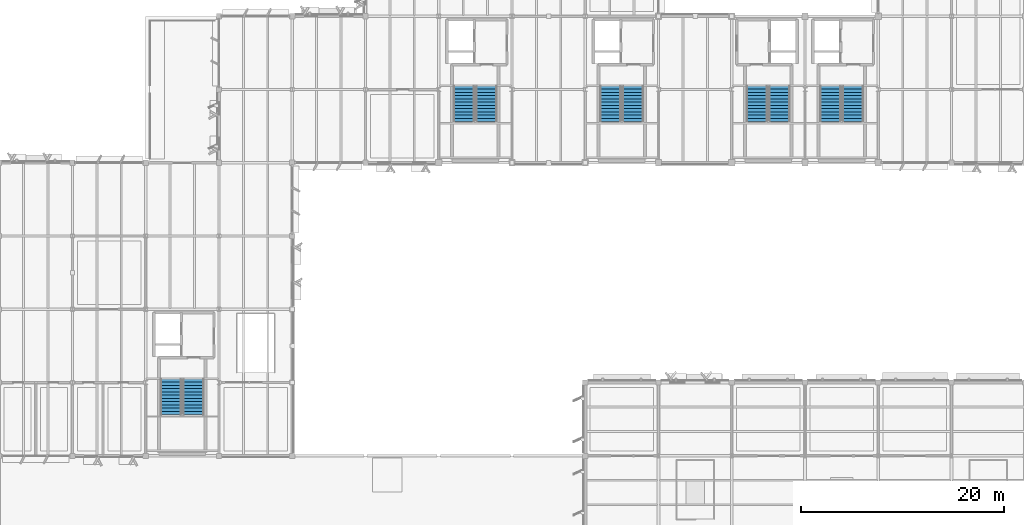
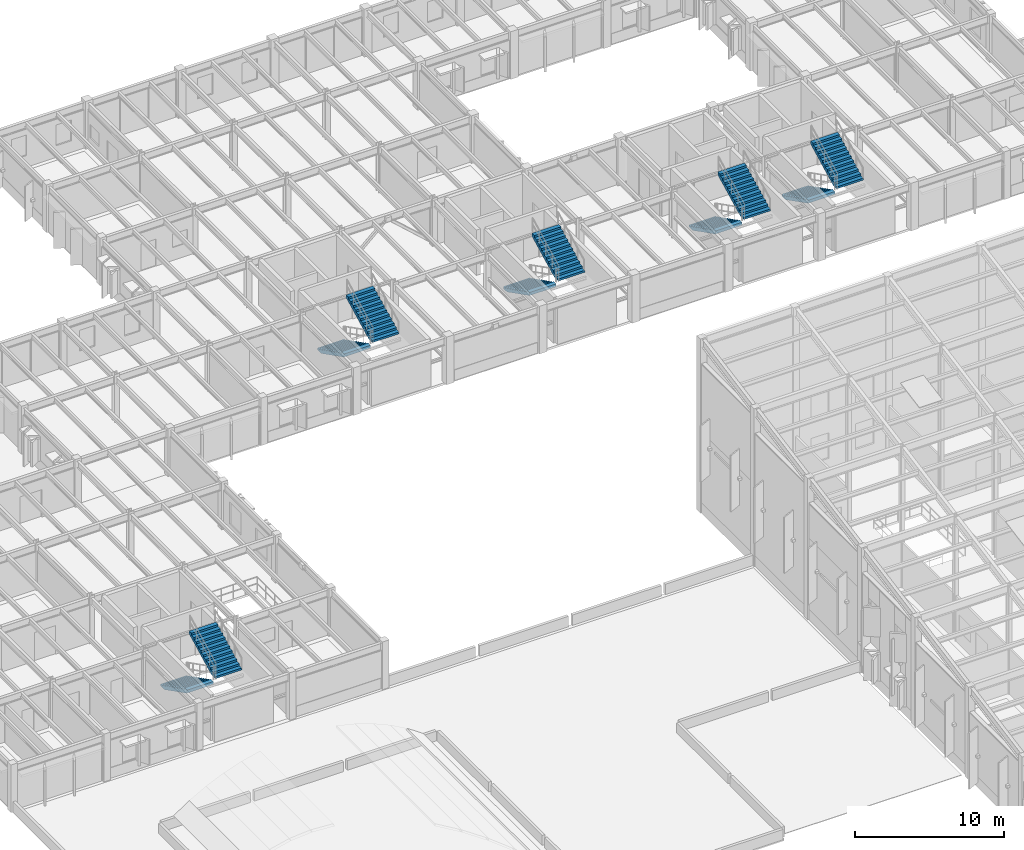
# One storey, part 42 of 82: 10 stair flights, 5 elements without a shape of their own.
"""IFC4 building model written with IfcOpenShell, lengths in metres."""

from ifc_helpers import new_model, si_unit, direction, frame, origin, place, context, subcontext, project, spatial, polyline, outline, extrude, material, type_object, element, aggregate, save


model = new_model("IFC4")

# Units and contexts
model_context = context("Model", 3, precision=1e-05, world=origin(), true_north=direction((0.0, 1.0)))
body_context = subcontext(model_context, "Body", "Model", "MODEL_VIEW")
ifc_project = project(units=[si_unit("LENGTHUNIT", "METRE"), si_unit("AREAUNIT", "SQUARE_METRE"), si_unit("VOLUMEUNIT", "CUBIC_METRE"), si_unit("PLANEANGLEUNIT", "RADIAN"), si_unit("MASSUNIT", "GRAM", prefix="KILO")], contexts=[model_context])

# Site, building, storey
site_placement = place(None, origin())
site = spatial("IfcSite", under=ifc_project, at=site_placement, CompositionType="ELEMENT")
building_placement = place(site_placement, origin())
building = spatial("IfcBuilding", under=site, at=building_placement, Name="Sillqori Civic Hall", CompositionType="ELEMENT")
storey_placement = place(building_placement, frame((0.0, 0.0, 14.10009765625)))
storey = spatial("IfcBuildingStorey", under=building, at=storey_placement, Name="L04", CompositionType="ELEMENT", Elevation=14.10009765625)

# Stair, stair flights
ifc_material = material(Name="Concrete C35/45 (H35)", Category="concrete")
stair_type_1 = type_object("IfcStairType", Name="STR-CORE-04", PredefinedType="DOUBLE_RETURN_STAIR", material=ifc_material)
stair_1_placement = place(storey_placement, origin())
stair_1 = element("IfcStair", 1, at=stair_1_placement, inside=storey, type_object=stair_type_1, Name="L04 Core exit stair ST-04", PredefinedType="DOUBLE_RETURN_STAIR")
stair_flight_type = type_object("IfcStairFlightType", Name="SFL-CORE-220", PredefinedType="STRAIGHT", material=ifc_material)
stair_flight_1_placement = place(storey_placement, frame((24.090087890625, 57.969970703125, 0.0), z_axis=(0.0, 0.0, 1.0), x_axis=(0.0, -1.0, 0.0)))
stair_flight_1 = element("IfcStairFlight", 2, at=stair_flight_1_placement, type_object=stair_flight_type, Name="ST-04 flight 1", NumberOfRisers=12, NumberOfTreads=11, PredefinedType="STRAIGHT", RiserHeight=0.1625, TreadLength=0.32, context=body_context, shape_type="SweptSolid", body=[
    extrude(outline(polyline([(0.0, 0.0), (0.0, 0.16259765625), (0.320068359375, 0.16259765625), (0.320068359375, 0.324951171875), (0.639892578125, 0.324951171875), (0.639892578125, 0.487548828125), (0.9599609375, 0.487548828125), (0.9599609375, 0.64990234375), (1.280029296875, 0.64990234375), (1.280029296875, 0.8125), (1.60009765625, 0.8125), (1.60009765625, 0.97509765625), (1.919921875, 0.97509765625), (1.919921875, 1.137451171875), (2.239990234375, 1.137451171875), (2.239990234375, 1.300048828125), (2.56005859375, 1.300048828125), (2.56005859375, 1.46240234375), (2.8798828125, 1.46240234375), (2.8798828125, 1.625), (3.199951171875, 1.625), (3.199951171875, 1.78759765625), (3.52001953125, 1.78759765625), (3.52001953125, 1.949951171875), (3.52001953125, 1.540771484375), (0.48583984375, 0.0), (0.0, 0.0)])), frame((0.0, 1.030029296875, 0.0), z_axis=(0.0, -1.0, 0.0), x_axis=(1.0, 0.0, 0.0)), (0.0, 0.0, 1.0), 2.06005859375),
])
stair_flight_2_placement = place(storey_placement, frame((26.31005859375, 54.449951171875, 1.949951171875), z_axis=(0.0, 0.0, 1.0), x_axis=(0.0, 1.0, 0.0)))
stair_flight_2 = element("IfcStairFlight", 3, at=stair_flight_2_placement, type_object=stair_flight_type, Name="ST-04 flight 2", NumberOfRisers=12, NumberOfTreads=11, PredefinedType="STRAIGHT", RiserHeight=0.1625, TreadLength=0.32, context=body_context, shape_type="SweptSolid", body=[
    extrude(outline(polyline([(0.0, 0.0), (0.0, 0.16259765625), (0.320068359375, 0.16259765625), (0.320068359375, 0.324951171875), (0.639892578125, 0.324951171875), (0.639892578125, 0.487548828125), (0.9599609375, 0.487548828125), (0.9599609375, 0.64990234375), (1.280029296875, 0.64990234375), (1.280029296875, 0.8125), (1.60009765625, 0.8125), (1.60009765625, 0.97509765625), (1.919921875, 0.97509765625), (1.919921875, 1.137451171875), (2.239990234375, 1.137451171875), (2.239990234375, 1.300048828125), (2.56005859375, 1.300048828125), (2.56005859375, 1.46240234375), (2.8798828125, 1.46240234375), (2.8798828125, 1.625), (3.199951171875, 1.625), (3.199951171875, 1.78759765625), (3.52001953125, 1.78759765625), (3.52001953125, 1.949951171875), (3.52001953125, 1.540771484375), (0.48583984375, 0.0), (0.0, 0.0)])), frame((0.0, 1.030029296875, 0.0), z_axis=(0.0, -1.0, 0.0), x_axis=(1.0, 0.0, 0.0)), (0.0, 0.0, 1.0), 2.06005859375),
])
aggregate(stair_1, [stair_flight_1, stair_flight_2])

stair_type_2 = type_object("IfcStairType", Name="STR-CORE-05", PredefinedType="DOUBLE_RETURN_STAIR", material=ifc_material)
stair_2_placement = place(storey_placement, origin())
stair_2 = element("IfcStair", 4, at=stair_2_placement, inside=storey, type_object=stair_type_2, Name="L04 Core exit stair ST-05", PredefinedType="DOUBLE_RETURN_STAIR")
stair_flight_3_placement = place(storey_placement, frame((52.889892578125, 86.77001953125, 0.0), z_axis=(0.0, 0.0, 1.0), x_axis=(0.0, -1.0, 0.0)))
stair_flight_3 = element("IfcStairFlight", 5, at=stair_flight_3_placement, type_object=stair_flight_type, Name="ST-05 flight 1", NumberOfRisers=12, NumberOfTreads=11, PredefinedType="STRAIGHT", RiserHeight=0.1625, TreadLength=0.32, context=body_context, shape_type="SweptSolid", body=[
    extrude(outline(polyline([(0.0, 0.0), (0.0, 0.16259765625), (0.320068359375, 0.16259765625), (0.320068359375, 0.324951171875), (0.639892578125, 0.324951171875), (0.639892578125, 0.487548828125), (0.9599609375, 0.487548828125), (0.9599609375, 0.64990234375), (1.280029296875, 0.64990234375), (1.280029296875, 0.8125), (1.60009765625, 0.8125), (1.60009765625, 0.97509765625), (1.919921875, 0.97509765625), (1.919921875, 1.137451171875), (2.239990234375, 1.137451171875), (2.239990234375, 1.300048828125), (2.56005859375, 1.300048828125), (2.56005859375, 1.46240234375), (2.8798828125, 1.46240234375), (2.8798828125, 1.625), (3.199951171875, 1.625), (3.199951171875, 1.78759765625), (3.52001953125, 1.78759765625), (3.52001953125, 1.949951171875), (3.52001953125, 1.540771484375), (0.48583984375, 0.0), (0.0, 0.0)])), frame((0.0, 1.030029296875, 0.0), z_axis=(0.0, -1.0, 0.0), x_axis=(1.0, 0.0, 0.0)), (0.0, 0.0, 1.0), 2.06005859375),
])
stair_flight_4_placement = place(storey_placement, frame((55.110107421875, 83.25, 1.949951171875), z_axis=(0.0, 0.0, 1.0), x_axis=(0.0, 1.0, 0.0)))
stair_flight_4 = element("IfcStairFlight", 6, at=stair_flight_4_placement, type_object=stair_flight_type, Name="ST-05 flight 2", NumberOfRisers=12, NumberOfTreads=11, PredefinedType="STRAIGHT", RiserHeight=0.1625, TreadLength=0.32, context=body_context, shape_type="SweptSolid", body=[
    extrude(outline(polyline([(0.0, 0.0), (0.0, 0.16259765625), (0.320068359375, 0.16259765625), (0.320068359375, 0.324951171875), (0.639892578125, 0.324951171875), (0.639892578125, 0.487548828125), (0.9599609375, 0.487548828125), (0.9599609375, 0.64990234375), (1.280029296875, 0.64990234375), (1.280029296875, 0.8125), (1.60009765625, 0.8125), (1.60009765625, 0.97509765625), (1.919921875, 0.97509765625), (1.919921875, 1.137451171875), (2.239990234375, 1.137451171875), (2.239990234375, 1.300048828125), (2.56005859375, 1.300048828125), (2.56005859375, 1.46240234375), (2.8798828125, 1.46240234375), (2.8798828125, 1.625), (3.199951171875, 1.625), (3.199951171875, 1.78759765625), (3.52001953125, 1.78759765625), (3.52001953125, 1.949951171875), (3.52001953125, 1.540771484375), (0.48583984375, 0.0), (0.0, 0.0)])), frame((0.0, 1.030029296875, 0.0), z_axis=(0.0, -1.0, 0.0), x_axis=(1.0, 0.0, 0.0)), (0.0, 0.0, 1.0), 2.06005859375),
])
aggregate(stair_2, [stair_flight_3, stair_flight_4])

stair_type_3 = type_object("IfcStairType", Name="STR-CORE-06", PredefinedType="DOUBLE_RETURN_STAIR", material=ifc_material)
stair_3_placement = place(storey_placement, origin())
stair_3 = element("IfcStair", 7, at=stair_3_placement, inside=storey, type_object=stair_type_3, Name="L04 Core exit stair ST-06", PredefinedType="DOUBLE_RETURN_STAIR")
stair_flight_5_placement = place(storey_placement, frame((67.2900390625, 86.77001953125, 0.0), z_axis=(0.0, 0.0, 1.0), x_axis=(0.0, -1.0, 0.0)))
stair_flight_5 = element("IfcStairFlight", 8, at=stair_flight_5_placement, type_object=stair_flight_type, Name="ST-06 flight 1", NumberOfRisers=12, NumberOfTreads=11, PredefinedType="STRAIGHT", RiserHeight=0.1625, TreadLength=0.32, context=body_context, shape_type="SweptSolid", body=[
    extrude(outline(polyline([(0.0, 0.0), (0.0, 0.16259765625), (0.320068359375, 0.16259765625), (0.320068359375, 0.324951171875), (0.639892578125, 0.324951171875), (0.639892578125, 0.487548828125), (0.9599609375, 0.487548828125), (0.9599609375, 0.64990234375), (1.280029296875, 0.64990234375), (1.280029296875, 0.8125), (1.60009765625, 0.8125), (1.60009765625, 0.97509765625), (1.919921875, 0.97509765625), (1.919921875, 1.137451171875), (2.239990234375, 1.137451171875), (2.239990234375, 1.300048828125), (2.56005859375, 1.300048828125), (2.56005859375, 1.46240234375), (2.8798828125, 1.46240234375), (2.8798828125, 1.625), (3.199951171875, 1.625), (3.199951171875, 1.78759765625), (3.52001953125, 1.78759765625), (3.52001953125, 1.949951171875), (3.52001953125, 1.540771484375), (0.48583984375, 0.0), (0.0, 0.0)])), frame((0.0, 1.030029296875, 0.0), z_axis=(0.0, -1.0, 0.0), x_axis=(1.0, 0.0, 0.0)), (0.0, 0.0, 1.0), 2.06005859375),
])
stair_flight_6_placement = place(storey_placement, frame((69.510009765625, 83.25, 1.949951171875), z_axis=(0.0, 0.0, 1.0), x_axis=(0.0, 1.0, 0.0)))
stair_flight_6 = element("IfcStairFlight", 9, at=stair_flight_6_placement, type_object=stair_flight_type, Name="ST-06 flight 2", NumberOfRisers=12, NumberOfTreads=11, PredefinedType="STRAIGHT", RiserHeight=0.1625, TreadLength=0.32, context=body_context, shape_type="SweptSolid", body=[
    extrude(outline(polyline([(0.0, 0.0), (0.0, 0.16259765625), (0.320068359375, 0.16259765625), (0.320068359375, 0.324951171875), (0.639892578125, 0.324951171875), (0.639892578125, 0.487548828125), (0.9599609375, 0.487548828125), (0.9599609375, 0.64990234375), (1.280029296875, 0.64990234375), (1.280029296875, 0.8125), (1.60009765625, 0.8125), (1.60009765625, 0.97509765625), (1.919921875, 0.97509765625), (1.919921875, 1.137451171875), (2.239990234375, 1.137451171875), (2.239990234375, 1.300048828125), (2.56005859375, 1.300048828125), (2.56005859375, 1.46240234375), (2.8798828125, 1.46240234375), (2.8798828125, 1.625), (3.199951171875, 1.625), (3.199951171875, 1.78759765625), (3.52001953125, 1.78759765625), (3.52001953125, 1.949951171875), (3.52001953125, 1.540771484375), (0.48583984375, 0.0), (0.0, 0.0)])), frame((0.0, 1.030029296875, 0.0), z_axis=(0.0, -1.0, 0.0), x_axis=(1.0, 0.0, 0.0)), (0.0, 0.0, 1.0), 2.06005859375),
])
aggregate(stair_3, [stair_flight_5, stair_flight_6])

stair_type_4 = type_object("IfcStairType", Name="STR-CORE-07", PredefinedType="DOUBLE_RETURN_STAIR", material=ifc_material)
stair_4_placement = place(storey_placement, origin())
stair_4 = element("IfcStair", 10, at=stair_4_placement, inside=storey, type_object=stair_type_4, Name="L04 Core exit stair ST-07", PredefinedType="DOUBLE_RETURN_STAIR")
stair_flight_7_placement = place(storey_placement, frame((81.68994140625, 86.77001953125, 0.0), z_axis=(0.0, 0.0, 1.0), x_axis=(0.0, -1.0, 0.0)))
stair_flight_7 = element("IfcStairFlight", 11, at=stair_flight_7_placement, type_object=stair_flight_type, Name="ST-07 flight 1", NumberOfRisers=12, NumberOfTreads=11, PredefinedType="STRAIGHT", RiserHeight=0.1625, TreadLength=0.32, context=body_context, shape_type="SweptSolid", body=[
    extrude(outline(polyline([(0.0, 0.0), (0.0, 0.16259765625), (0.320068359375, 0.16259765625), (0.320068359375, 0.324951171875), (0.639892578125, 0.324951171875), (0.639892578125, 0.487548828125), (0.9599609375, 0.487548828125), (0.9599609375, 0.64990234375), (1.280029296875, 0.64990234375), (1.280029296875, 0.8125), (1.60009765625, 0.8125), (1.60009765625, 0.97509765625), (1.919921875, 0.97509765625), (1.919921875, 1.137451171875), (2.239990234375, 1.137451171875), (2.239990234375, 1.300048828125), (2.56005859375, 1.300048828125), (2.56005859375, 1.46240234375), (2.8798828125, 1.46240234375), (2.8798828125, 1.625), (3.199951171875, 1.625), (3.199951171875, 1.78759765625), (3.52001953125, 1.78759765625), (3.52001953125, 1.949951171875), (3.52001953125, 1.540771484375), (0.48583984375, 0.0), (0.0, 0.0)])), frame((0.0, 1.030029296875, 0.0), z_axis=(0.0, -1.0, 0.0), x_axis=(1.0, 0.0, 0.0)), (0.0, 0.0, 1.0), 2.06005859375),
])
stair_flight_8_placement = place(storey_placement, frame((83.909912109375, 83.25, 1.949951171875), z_axis=(0.0, 0.0, 1.0), x_axis=(0.0, 1.0, 0.0)))
stair_flight_8 = element("IfcStairFlight", 12, at=stair_flight_8_placement, type_object=stair_flight_type, Name="ST-07 flight 2", NumberOfRisers=12, NumberOfTreads=11, PredefinedType="STRAIGHT", RiserHeight=0.1625, TreadLength=0.32, context=body_context, shape_type="SweptSolid", body=[
    extrude(outline(polyline([(0.0, 0.0), (0.0, 0.16259765625), (0.320068359375, 0.16259765625), (0.320068359375, 0.324951171875), (0.639892578125, 0.324951171875), (0.639892578125, 0.487548828125), (0.9599609375, 0.487548828125), (0.9599609375, 0.64990234375), (1.280029296875, 0.64990234375), (1.280029296875, 0.8125), (1.60009765625, 0.8125), (1.60009765625, 0.97509765625), (1.919921875, 0.97509765625), (1.919921875, 1.137451171875), (2.239990234375, 1.137451171875), (2.239990234375, 1.300048828125), (2.56005859375, 1.300048828125), (2.56005859375, 1.46240234375), (2.8798828125, 1.46240234375), (2.8798828125, 1.625), (3.199951171875, 1.625), (3.199951171875, 1.78759765625), (3.52001953125, 1.78759765625), (3.52001953125, 1.949951171875), (3.52001953125, 1.540771484375), (0.48583984375, 0.0), (0.0, 0.0)])), frame((0.0, 1.030029296875, 0.0), z_axis=(0.0, -1.0, 0.0), x_axis=(1.0, 0.0, 0.0)), (0.0, 0.0, 1.0), 2.06005859375),
])
aggregate(stair_4, [stair_flight_7, stair_flight_8])

stair_type_5 = type_object("IfcStairType", Name="STR-CORE-08", PredefinedType="DOUBLE_RETURN_STAIR", material=ifc_material)
stair_5_placement = place(storey_placement, origin())
stair_5 = element("IfcStair", 13, at=stair_5_placement, inside=storey, type_object=stair_type_5, Name="L04 Core exit stair ST-08", PredefinedType="DOUBLE_RETURN_STAIR")
stair_flight_9_placement = place(storey_placement, frame((88.889892578125, 86.77001953125, 0.0), z_axis=(0.0, 0.0, 1.0), x_axis=(0.0, -1.0, 0.0)))
stair_flight_9 = element("IfcStairFlight", 14, at=stair_flight_9_placement, type_object=stair_flight_type, Name="ST-08 flight 1", NumberOfRisers=12, NumberOfTreads=11, PredefinedType="STRAIGHT", RiserHeight=0.1625, TreadLength=0.32, context=body_context, shape_type="SweptSolid", body=[
    extrude(outline(polyline([(0.0, 0.0), (0.0, 0.16259765625), (0.320068359375, 0.16259765625), (0.320068359375, 0.324951171875), (0.639892578125, 0.324951171875), (0.639892578125, 0.487548828125), (0.9599609375, 0.487548828125), (0.9599609375, 0.64990234375), (1.280029296875, 0.64990234375), (1.280029296875, 0.8125), (1.60009765625, 0.8125), (1.60009765625, 0.97509765625), (1.919921875, 0.97509765625), (1.919921875, 1.137451171875), (2.239990234375, 1.137451171875), (2.239990234375, 1.300048828125), (2.56005859375, 1.300048828125), (2.56005859375, 1.46240234375), (2.8798828125, 1.46240234375), (2.8798828125, 1.625), (3.199951171875, 1.625), (3.199951171875, 1.78759765625), (3.52001953125, 1.78759765625), (3.52001953125, 1.949951171875), (3.52001953125, 1.540771484375), (0.48583984375, 0.0), (0.0, 0.0)])), frame((0.0, 1.030029296875, 0.0), z_axis=(0.0, -1.0, 0.0), x_axis=(1.0, 0.0, 0.0)), (0.0, 0.0, 1.0), 2.06005859375),
])
stair_flight_10_placement = place(storey_placement, frame((91.110107421875, 83.25, 1.949951171875), z_axis=(0.0, 0.0, 1.0), x_axis=(0.0, 1.0, 0.0)))
stair_flight_10 = element("IfcStairFlight", 15, at=stair_flight_10_placement, type_object=stair_flight_type, Name="ST-08 flight 2", NumberOfRisers=12, NumberOfTreads=11, PredefinedType="STRAIGHT", RiserHeight=0.1625, TreadLength=0.32, context=body_context, shape_type="SweptSolid", body=[
    extrude(outline(polyline([(0.0, 0.0), (0.0, 0.16259765625), (0.320068359375, 0.16259765625), (0.320068359375, 0.324951171875), (0.639892578125, 0.324951171875), (0.639892578125, 0.487548828125), (0.9599609375, 0.487548828125), (0.9599609375, 0.64990234375), (1.280029296875, 0.64990234375), (1.280029296875, 0.8125), (1.60009765625, 0.8125), (1.60009765625, 0.97509765625), (1.919921875, 0.97509765625), (1.919921875, 1.137451171875), (2.239990234375, 1.137451171875), (2.239990234375, 1.300048828125), (2.56005859375, 1.300048828125), (2.56005859375, 1.46240234375), (2.8798828125, 1.46240234375), (2.8798828125, 1.625), (3.199951171875, 1.625), (3.199951171875, 1.78759765625), (3.52001953125, 1.78759765625), (3.52001953125, 1.949951171875), (3.52001953125, 1.540771484375), (0.48583984375, 0.0), (0.0, 0.0)])), frame((0.0, 1.030029296875, 0.0), z_axis=(0.0, -1.0, 0.0), x_axis=(1.0, 0.0, 0.0)), (0.0, 0.0, 1.0), 2.06005859375),
])
aggregate(stair_5, [stair_flight_9, stair_flight_10])

save(model, "model.ifc")
